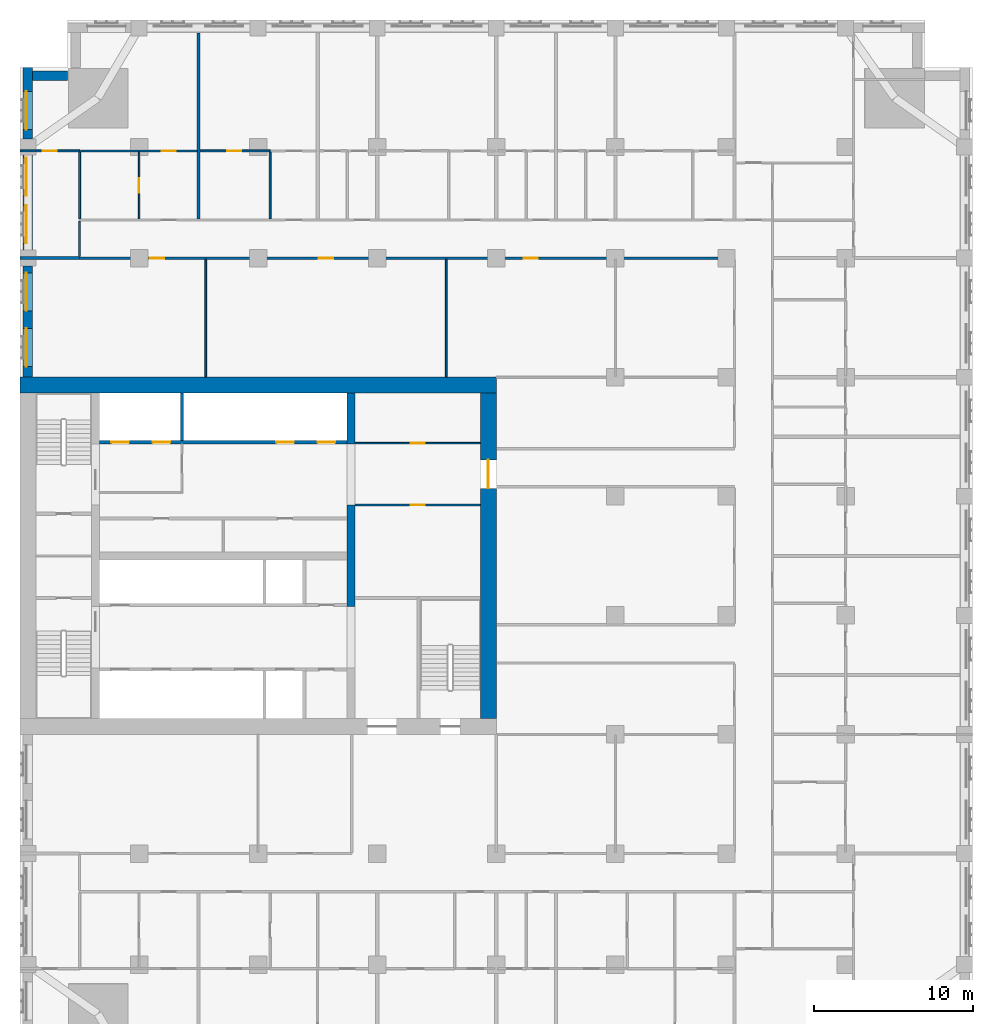
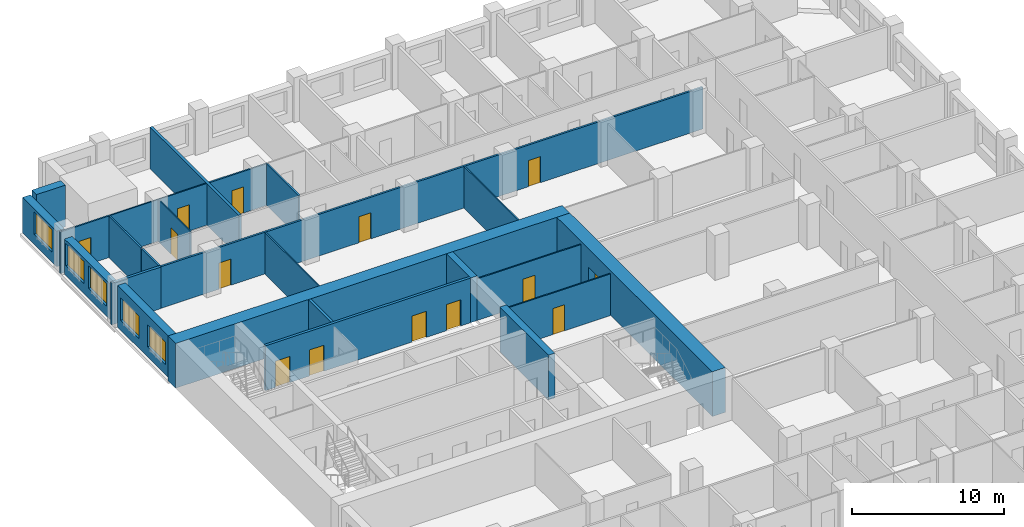
# One storey, part 8 of 14: 24 walls, 14 doors, 5 windows, 19 openings.
"""IFC4 building model written with IfcOpenShell, lengths in metres."""

from ifc_helpers import new_model, si_unit, direction, frame, frame_2d, origin, place, context, subcontext, project, spatial, rectangle, extrude, material, layer, layer_set, type_object, element, fill, save


model = new_model("IFC4")

# Units and contexts
model_context = context("Model", 3, precision=1e-05, world=origin(), true_north=direction((0.0, 1.0)))
body_context = subcontext(model_context, "Body", "Model", "MODEL_VIEW")
ifc_project = project(units=[si_unit("LENGTHUNIT", "METRE"), si_unit("AREAUNIT", "SQUARE_METRE"), si_unit("VOLUMEUNIT", "CUBIC_METRE"), si_unit("PLANEANGLEUNIT", "RADIAN"), si_unit("MASSUNIT", "GRAM", prefix="KILO")], contexts=[model_context])

# Site, building, storey
site_placement = place(None, origin())
site = spatial("IfcSite", under=ifc_project, at=site_placement, CompositionType="ELEMENT")
building_placement = place(site_placement, origin())
building = spatial("IfcBuilding", under=site, at=building_placement, Name="Tamorin Gate", CompositionType="ELEMENT")
storey_placement = place(building_placement, frame((0.0, 0.0, 79.10009765625)))
storey = spatial("IfcBuildingStorey", under=building, at=storey_placement, Name="L18", CompositionType="ELEMENT", Elevation=79.10009765625)

# Wall
ifc_material_1 = material(Name="Precast concrete C40/50", Category="concrete")
ifc_layer_1 = layer(ifc_material_1, 0.60009765625)
ifc_layer_set_1 = layer_set([ifc_layer_1], Name="Precast concrete C40/50")
wall_type_1 = type_object("IfcWallType", Name="Board-marked concrete facade panel 600", PredefinedType="SOLIDWALL", material=ifc_layer_set_1)
wall_1_placement = place(storey_placement, frame((33.0, 101.5, 0.0), z_axis=(0.0, 0.0, 1.0), x_axis=(-1.0, 0.0, 0.0)))
element("IfcWall", 1, at=wall_1_placement, inside=storey, type_object=wall_type_1, Name="Facade panel", PredefinedType="SOLIDWALL", context=body_context, shape_type="SweptSolid", body=[
    extrude(rectangle(XDim=2.199951171875, YDim=0.60009765625, at=frame_2d((1.10009765625, 0.0))), origin(), (0.0, 0.0, 1.0), 3.349853515625),
])

# Wall, opening, window
wall_2_placement = place(storey_placement, frame((30.5, 102.0, 0.0), z_axis=(0.0, 0.0, 1.0), x_axis=(0.0, -1.0, 0.0)))
wall_2 = element("IfcWall", 2, at=wall_2_placement, inside=storey, type_object=wall_type_1, Name="Facade panel", PredefinedType="SOLIDWALL", context=body_context, shape_type="SweptSolid", body=[
    extrude(rectangle(XDim=4.5, YDim=0.60009765625, at=frame_2d((2.25, 0.0))), origin(), (0.0, 0.0, 1.0), 2.849853515625),
])
opening_1_placement = place(wall_2_placement, frame((1.5, 0.0, 0.800048828125)))
opening_1 = element("IfcOpeningElement", 3, at=opening_1_placement, cuts=wall_2, Name="Opening WN1", PredefinedType="OPENING", context=body_context, shape_type="SweptSolid", body=[
    extrude(rectangle(XDim=2.39990234375, YDim=1.800048828125, at=frame_2d((1.199951171875, 0.89990234375))), frame((0.0, 0.31005859375, 0.0), z_axis=(0.0, -1.0, 0.0), x_axis=(1.0, 0.0, 0.0)), (0.0, 0.0, 1.0), 0.6201171875),
])
ifc_material_2 = material(Name="Clear glass in aluminium frame", Category="aluminium")
window_type = type_object("IfcWindowType", Name="Deep-set window 2400x1800", PartitioningType="SINGLE_PANEL", PredefinedType="WINDOW", material=ifc_material_2)
window_1_placement = place(opening_1_placement, origin())
window_1 = element("IfcWindow", 4, at=window_1_placement, inside=storey, type_object=window_type, Name="Deep-set window", OverallHeight=1.800048828125, OverallWidth=2.39990234375, PartitioningType="SINGLE_PANEL", PredefinedType="WINDOW", context=body_context, shape_type="SweptSolid", body=[
    extrude(rectangle(XDim=2.39990234375, YDim=1.800048828125, at=frame_2d((1.199951171875, 0.89990234375))), frame((0.0, -0.070068359375, 0.0), z_axis=(0.0, -1.0, 0.0), x_axis=(1.0, 0.0, 0.0)), (0.0, 0.0, 1.0), 0.06005859375),
])
fill(opening_1, window_1)

# Wall, openings, windows
wall_3_placement = place(storey_placement, frame((30.5, 96.5, 0.0), z_axis=(0.0, 0.0, 1.0), x_axis=(0.0, -1.0, 0.0)))
wall_3 = element("IfcWall", 5, at=wall_3_placement, inside=storey, type_object=wall_type_1, Name="Facade panel", PredefinedType="SOLIDWALL", context=body_context, shape_type="SweptSolid", body=[
    extrude(rectangle(XDim=6.0, YDim=0.60009765625, at=frame_2d((3.0, 0.0))), origin(), (0.0, 0.0, 1.0), 2.849853515625),
])
opening_2_placement = place(wall_3_placement, frame((3.175048828125, 0.0, 0.800048828125)))
opening_2 = element("IfcOpeningElement", 6, at=opening_2_placement, cuts=wall_3, Name="Opening WN1", PredefinedType="OPENING", context=body_context, shape_type="SweptSolid", body=[
    extrude(rectangle(XDim=2.39990234375, YDim=1.800048828125, at=frame_2d((1.199951171875, 0.89990234375))), frame((0.0, 0.31005859375, 0.0), z_axis=(0.0, -1.0, 0.0), x_axis=(1.0, 0.0, 0.0)), (0.0, 0.0, 1.0), 0.6201171875),
])
opening_3_placement = place(wall_3_placement, frame((0.175048828125, 0.0, 0.800048828125)))
opening_3 = element("IfcOpeningElement", 7, at=opening_3_placement, cuts=wall_3, Name="Opening WN1", PredefinedType="OPENING", context=body_context, shape_type="SweptSolid", body=[
    extrude(rectangle(XDim=2.39990234375, YDim=1.800048828125, at=frame_2d((1.199951171875, 0.89990234375))), frame((0.0, 0.31005859375, 0.0), z_axis=(0.0, -1.0, 0.0), x_axis=(1.0, 0.0, 0.0)), (0.0, 0.0, 1.0), 0.6201171875),
])
window_2_placement = place(opening_2_placement, origin())
window_2 = element("IfcWindow", 8, at=window_2_placement, inside=storey, type_object=window_type, Name="Deep-set window", OverallHeight=1.800048828125, OverallWidth=2.39990234375, PartitioningType="SINGLE_PANEL", PredefinedType="WINDOW", context=body_context, shape_type="SweptSolid", body=[
    extrude(rectangle(XDim=2.39990234375, YDim=1.800048828125, at=frame_2d((1.199951171875, 0.89990234375))), frame((0.0, -0.070068359375, 0.0), z_axis=(0.0, -1.0, 0.0), x_axis=(1.0, 0.0, 0.0)), (0.0, 0.0, 1.0), 0.06005859375),
])
fill(opening_2, window_2)
window_3_placement = place(opening_3_placement, origin())
window_3 = element("IfcWindow", 9, at=window_3_placement, inside=storey, type_object=window_type, Name="Deep-set window", OverallHeight=1.800048828125, OverallWidth=2.39990234375, PartitioningType="SINGLE_PANEL", PredefinedType="WINDOW", context=body_context, shape_type="SweptSolid", body=[
    extrude(rectangle(XDim=2.39990234375, YDim=1.800048828125, at=frame_2d((1.199951171875, 0.89990234375))), frame((0.0, -0.070068359375, 0.0), z_axis=(0.0, -1.0, 0.0), x_axis=(1.0, 0.0, 0.0)), (0.0, 0.0, 1.0), 0.06005859375),
])
fill(opening_3, window_3)

wall_4_placement = place(storey_placement, frame((30.5, 89.5, 0.0), z_axis=(0.0, 0.0, 1.0), x_axis=(0.0, -1.0, 0.0)))
wall_4 = element("IfcWall", 10, at=wall_4_placement, inside=storey, type_object=wall_type_1, Name="Facade panel", PredefinedType="SOLIDWALL", context=body_context, shape_type="SweptSolid", body=[
    extrude(rectangle(XDim=7.0, YDim=0.60009765625, at=frame_2d((3.5, 0.0))), origin(), (0.0, 0.0, 1.0), 3.349853515625),
])
opening_4_placement = place(wall_4_placement, frame((3.925048828125, 0.0, 0.800048828125)))
opening_4 = element("IfcOpeningElement", 11, at=opening_4_placement, cuts=wall_4, Name="Opening WN1", PredefinedType="OPENING", context=body_context, shape_type="SweptSolid", body=[
    extrude(rectangle(XDim=2.39990234375, YDim=1.800048828125, at=frame_2d((1.199951171875, 0.89990234375))), frame((0.0, 0.31005859375, 0.0), z_axis=(0.0, -1.0, 0.0), x_axis=(1.0, 0.0, 0.0)), (0.0, 0.0, 1.0), 0.6201171875),
])
opening_5_placement = place(wall_4_placement, frame((0.425048828125, 0.0, 0.800048828125)))
opening_5 = element("IfcOpeningElement", 12, at=opening_5_placement, cuts=wall_4, Name="Opening WN1", PredefinedType="OPENING", context=body_context, shape_type="SweptSolid", body=[
    extrude(rectangle(XDim=2.39990234375, YDim=1.800048828125, at=frame_2d((1.199951171875, 0.89990234375))), frame((0.0, 0.31005859375, 0.0), z_axis=(0.0, -1.0, 0.0), x_axis=(1.0, 0.0, 0.0)), (0.0, 0.0, 1.0), 0.6201171875),
])
window_4_placement = place(opening_4_placement, origin())
window_4 = element("IfcWindow", 13, at=window_4_placement, inside=storey, type_object=window_type, Name="Deep-set window", OverallHeight=1.800048828125, OverallWidth=2.39990234375, PartitioningType="SINGLE_PANEL", PredefinedType="WINDOW", context=body_context, shape_type="SweptSolid", body=[
    extrude(rectangle(XDim=2.39990234375, YDim=1.800048828125, at=frame_2d((1.199951171875, 0.89990234375))), frame((0.0, -0.070068359375, 0.0), z_axis=(0.0, -1.0, 0.0), x_axis=(1.0, 0.0, 0.0)), (0.0, 0.0, 1.0), 0.06005859375),
])
fill(opening_4, window_4)
window_5_placement = place(opening_5_placement, origin())
window_5 = element("IfcWindow", 14, at=window_5_placement, inside=storey, type_object=window_type, Name="Deep-set window", OverallHeight=1.800048828125, OverallWidth=2.39990234375, PartitioningType="SINGLE_PANEL", PredefinedType="WINDOW", context=body_context, shape_type="SweptSolid", body=[
    extrude(rectangle(XDim=2.39990234375, YDim=1.800048828125, at=frame_2d((1.199951171875, 0.89990234375))), frame((0.0, -0.070068359375, 0.0), z_axis=(0.0, -1.0, 0.0), x_axis=(1.0, 0.0, 0.0)), (0.0, 0.0, 1.0), 0.06005859375),
])
fill(opening_5, window_5)

# Wall, openings, doors
ifc_material_3 = material(Name="Gypsum board partition")
ifc_layer_2 = layer(ifc_material_3, 0.14990234375)
ifc_layer_set_2 = layer_set([ifc_layer_2], Name="Corridor wall 150")
wall_type_2 = type_object("IfcWallType", Name="Corridor wall 150", PredefinedType="PARTITIONING", material=ifc_layer_set_2)
wall_5_placement = place(storey_placement, frame((33.75, 90.0, 0.0), z_axis=(0.0, 0.0, 1.0), x_axis=(1.0, 0.0, 0.0)))
wall_5 = element("IfcWall", 15, at=wall_5_placement, inside=storey, type_object=wall_type_2, Name="Corridor wall 150", PredefinedType="PARTITIONING", context=body_context, shape_type="SweptSolid", body=[
    extrude(rectangle(XDim=41.25, YDim=0.14990234375, at=frame_2d((20.625, 0.0))), origin(), (0.0, 0.0, 1.0), 3.349853515625),
])
opening_6_placement = place(wall_5_placement, frame((4.425048828125, 0.0, 0.0)))
opening_6 = element("IfcOpeningElement", 16, at=opening_6_placement, cuts=wall_5, Name="Opening DH5076", PredefinedType="OPENING", context=body_context, shape_type="SweptSolid", body=[
    extrude(rectangle(XDim=0.89990234375, YDim=2.10009765625, at=frame_2d((0.449951171875, 1.050048828125))), frame((0.0, 0.0849609375, 0.0), z_axis=(0.0, -1.0, 0.0), x_axis=(1.0, 0.0, 0.0)), (0.0, 0.0, 1.0), 0.169921875),
])
opening_7_placement = place(wall_5_placement, frame((15.074951171875, 0.0, 0.0)))
opening_7 = element("IfcOpeningElement", 17, at=opening_7_placement, cuts=wall_5, Name="Opening DH5077", PredefinedType="OPENING", context=body_context, shape_type="SweptSolid", body=[
    extrude(rectangle(XDim=0.89990234375, YDim=2.10009765625, at=frame_2d((0.449951171875, 1.050048828125))), frame((0.0, 0.0849609375, 0.0), z_axis=(0.0, -1.0, 0.0), x_axis=(1.0, 0.0, 0.0)), (0.0, 0.0, 1.0), 0.169921875),
])
opening_8_placement = place(wall_5_placement, frame((27.97509765625, 0.0, 0.0)))
opening_8 = element("IfcOpeningElement", 18, at=opening_8_placement, cuts=wall_5, Name="Opening DH5078", PredefinedType="OPENING", context=body_context, shape_type="SweptSolid", body=[
    extrude(rectangle(XDim=0.89990234375, YDim=2.10009765625, at=frame_2d((0.449951171875, 1.050048828125))), frame((0.0, 0.0849609375, 0.0), z_axis=(0.0, -1.0, 0.0), x_axis=(1.0, 0.0, 0.0)), (0.0, 0.0, 1.0), 0.169921875),
])
ifc_material_4 = material(Name="Timber door leaf", Category="wood")
door_type_1 = type_object("IfcDoorType", Name="Door 900 x 2100 FD30S", OperationType="NOTDEFINED", PredefinedType="DOOR", material=ifc_material_4)
door_1_placement = place(opening_6_placement, origin())
door_1 = element("IfcDoor", 19, at=door_1_placement, inside=storey, type_object=door_type_1, Name="Door DH5076", OperationType="SINGLE_SWING_LEFT", OverallHeight=2.10009765625, OverallWidth=0.89990234375, PredefinedType="DOOR", context=body_context, shape_type="SweptSolid", body=[
    extrude(rectangle(XDim=0.89990234375, YDim=2.10009765625, at=frame_2d((0.449951171875, 1.050048828125))), frame((0.0, 0.02490234375, 0.0), z_axis=(0.0, -1.0, 0.0), x_axis=(1.0, 0.0, 0.0)), (0.0, 0.0, 1.0), 0.050048828125),
])
fill(opening_6, door_1)
door_2_placement = place(opening_7_placement, origin())
door_2 = element("IfcDoor", 20, at=door_2_placement, inside=storey, type_object=door_type_1, Name="Door DH5077", OperationType="SINGLE_SWING_RIGHT", OverallHeight=2.10009765625, OverallWidth=0.89990234375, PredefinedType="DOOR", context=body_context, shape_type="SweptSolid", body=[
    extrude(rectangle(XDim=0.89990234375, YDim=2.10009765625, at=frame_2d((0.449951171875, 1.050048828125))), frame((0.0, 0.02490234375, 0.0), z_axis=(0.0, -1.0, 0.0), x_axis=(1.0, 0.0, 0.0)), (0.0, 0.0, 1.0), 0.050048828125),
])
fill(opening_7, door_2)
door_3_placement = place(opening_8_placement, origin())
door_3 = element("IfcDoor", 21, at=door_3_placement, inside=storey, type_object=door_type_1, Name="Door DH5078", OperationType="SINGLE_SWING_RIGHT", OverallHeight=2.10009765625, OverallWidth=0.89990234375, PredefinedType="DOOR", context=body_context, shape_type="SweptSolid", body=[
    extrude(rectangle(XDim=0.89990234375, YDim=2.10009765625, at=frame_2d((0.449951171875, 1.050048828125))), frame((0.0, 0.02490234375, 0.0), z_axis=(0.0, -1.0, 0.0), x_axis=(1.0, 0.0, 0.0)), (0.0, 0.0, 1.0), 0.050048828125),
])
fill(opening_8, door_3)

# Walls
wall_6_placement = place(storey_placement, frame((33.75, 90.10009765625, 0.0), z_axis=(0.0, 0.0, 1.0), x_axis=(0.0, 1.0, 0.0)))
element("IfcWall", 22, at=wall_6_placement, inside=storey, type_object=wall_type_2, Name="Corridor wall 150", PredefinedType="PARTITIONING", context=body_context, shape_type="SweptSolid", body=[
    extrude(rectangle(XDim=2.224853515625, YDim=0.14990234375, at=frame_2d((1.1123046875, 0.0))), origin(), (0.0, 0.0, 1.0), 3.349853515625),
])
ifc_layer_3 = layer(ifc_material_3, 0.199951171875)
ifc_layer_set_3 = layer_set([ifc_layer_3], Name="Demising wall 200")
wall_type_3 = type_object("IfcWallType", Name="Demising wall 200", PredefinedType="PARTITIONING", material=ifc_layer_set_3)
wall_7_placement = place(storey_placement, frame((30.0, 90.0, 0.0), z_axis=(0.0, 0.0, 1.0), x_axis=(1.0, 0.0, 0.0)))
element("IfcWall", 23, at=wall_7_placement, inside=storey, type_object=wall_type_3, Name="Demising wall 200", PredefinedType="PARTITIONING", context=body_context, shape_type="SweptSolid", body=[
    extrude(rectangle(XDim=3.75, YDim=0.199951171875, at=frame_2d((1.875, 0.0))), origin(), (0.0, 0.0, 1.0), 3.349853515625),
])
wall_8_placement = place(storey_placement, frame((41.25, 92.47509765625, 0.0), z_axis=(0.0, 0.0, 1.0), x_axis=(0.0, 1.0, 0.0)))
element("IfcWall", 24, at=wall_8_placement, inside=storey, type_object=wall_type_3, Name="Demising wall 200", PredefinedType="PARTITIONING", context=body_context, shape_type="SweptSolid", body=[
    extrude(rectangle(XDim=11.71484375, YDim=0.199951171875, at=frame_2d((5.857421875, 0.0))), origin(), (0.0, 0.0, 1.0), 3.349853515625),
])

# Wall, openings, doors
ifc_material_5 = material(Name="Concrete C32/40", Category="concrete")
ifc_layer_4 = layer(ifc_material_5, 0.199951171875)
ifc_layer_set_4 = layer_set([ifc_layer_4], Name="Lift lobby face wall 200 EI 120")
wall_type_4 = type_object("IfcWallType", Name="Lift lobby face wall 200 EI 120", PredefinedType="SOLIDWALL", material=ifc_layer_set_4)
wall_9_placement = place(storey_placement, frame((35.0, 78.39990234375, 0.0), z_axis=(0.0, 0.0, 1.0), x_axis=(1.0, 0.0, 0.0)))
wall_9 = element("IfcWall", 25, at=wall_9_placement, inside=storey, type_object=wall_type_4, Name="Lift lobby face wall", PredefinedType="SOLIDWALL", context=body_context, shape_type="SweptSolid", body=[
    extrude(rectangle(XDim=15.60009765625, YDim=0.199951171875, at=frame_2d((7.800048828125, 0.0))), origin(), (0.0, 0.0, 1.0), 3.599853515625),
])
opening_9_placement = place(wall_9_placement, frame((0.75, 0.0, 0.0)))
opening_9 = element("IfcOpeningElement", 26, at=opening_9_placement, cuts=wall_9, Name="Opening LD17", PredefinedType="OPENING", context=body_context, shape_type="SweptSolid", body=[
    extrude(rectangle(XDim=1.10009765625, YDim=2.10009765625, at=frame_2d((0.550048828125, 1.050048828125))), frame((0.0, 0.10986328125, 0.0), z_axis=(0.0, -1.0, 0.0), x_axis=(1.0, 0.0, 0.0)), (0.0, 0.0, 1.0), 0.219970703125),
])
opening_10_placement = place(wall_9_placement, frame((3.35009765625, 0.0, 0.0)))
opening_10 = element("IfcOpeningElement", 27, at=opening_10_placement, cuts=wall_9, Name="Opening LD18", PredefinedType="OPENING", context=body_context, shape_type="SweptSolid", body=[
    extrude(rectangle(XDim=1.10009765625, YDim=2.10009765625, at=frame_2d((0.550048828125, 1.050048828125))), frame((0.0, 0.10986328125, 0.0), z_axis=(0.0, -1.0, 0.0), x_axis=(1.0, 0.0, 0.0)), (0.0, 0.0, 1.0), 0.219970703125),
])
opening_11_placement = place(wall_9_placement, frame((11.14990234375, 0.0, 0.0)))
opening_11 = element("IfcOpeningElement", 28, at=opening_11_placement, cuts=wall_9, Name="Opening LD21", PredefinedType="OPENING", context=body_context, shape_type="SweptSolid", body=[
    extrude(rectangle(XDim=1.10009765625, YDim=2.10009765625, at=frame_2d((0.550048828125, 1.050048828125))), frame((0.0, 0.10986328125, 0.0), z_axis=(0.0, -1.0, 0.0), x_axis=(1.0, 0.0, 0.0)), (0.0, 0.0, 1.0), 0.219970703125),
])
opening_12_placement = place(wall_9_placement, frame((13.75, 0.0, 0.0)))
opening_12 = element("IfcOpeningElement", 29, at=opening_12_placement, cuts=wall_9, Name="Opening LD22", PredefinedType="OPENING", context=body_context, shape_type="SweptSolid", body=[
    extrude(rectangle(XDim=1.10009765625, YDim=2.10009765625, at=frame_2d((0.550048828125, 1.050048828125))), frame((0.0, 0.10986328125, 0.0), z_axis=(0.0, -1.0, 0.0), x_axis=(1.0, 0.0, 0.0)), (0.0, 0.0, 1.0), 0.219970703125),
])
ifc_material_6 = material(Name="Stainless steel sliding door", Category="steel")
door_type_2 = type_object("IfcDoorType", Name="Lift landing door 1100 x 2100 E 90", OperationType="DOUBLE_DOOR_SLIDING", PredefinedType="DOOR", material=ifc_material_6)
door_4_placement = place(opening_9_placement, origin())
door_4 = element("IfcDoor", 30, at=door_4_placement, inside=storey, type_object=door_type_2, Name="FF1 landing door", OperationType="DOUBLE_DOOR_SLIDING", OverallHeight=2.10009765625, OverallWidth=1.10009765625, PredefinedType="DOOR", context=body_context, shape_type="SweptSolid", body=[
    extrude(rectangle(XDim=1.10009765625, YDim=2.10009765625, at=frame_2d((0.550048828125, 1.050048828125))), frame((0.0, 0.02490234375, 0.0), z_axis=(0.0, -1.0, 0.0), x_axis=(1.0, 0.0, 0.0)), (0.0, 0.0, 1.0), 0.050048828125),
])
fill(opening_9, door_4)
door_5_placement = place(opening_10_placement, origin())
door_5 = element("IfcDoor", 31, at=door_5_placement, inside=storey, type_object=door_type_2, Name="FF2 landing door", OperationType="DOUBLE_DOOR_SLIDING", OverallHeight=2.10009765625, OverallWidth=1.10009765625, PredefinedType="DOOR", context=body_context, shape_type="SweptSolid", body=[
    extrude(rectangle(XDim=1.10009765625, YDim=2.10009765625, at=frame_2d((0.550048828125, 1.050048828125))), frame((0.0, 0.02490234375, 0.0), z_axis=(0.0, -1.0, 0.0), x_axis=(1.0, 0.0, 0.0)), (0.0, 0.0, 1.0), 0.050048828125),
])
fill(opening_10, door_5)
door_6_placement = place(opening_11_placement, origin())
door_6 = element("IfcDoor", 32, at=door_6_placement, inside=storey, type_object=door_type_2, Name="SV1 landing door", OperationType="DOUBLE_DOOR_SLIDING", OverallHeight=2.10009765625, OverallWidth=1.10009765625, PredefinedType="DOOR", context=body_context, shape_type="SweptSolid", body=[
    extrude(rectangle(XDim=1.10009765625, YDim=2.10009765625, at=frame_2d((0.550048828125, 1.050048828125))), frame((0.0, 0.02490234375, 0.0), z_axis=(0.0, -1.0, 0.0), x_axis=(1.0, 0.0, 0.0)), (0.0, 0.0, 1.0), 0.050048828125),
])
fill(opening_11, door_6)
door_7_placement = place(opening_12_placement, origin())
door_7 = element("IfcDoor", 33, at=door_7_placement, inside=storey, type_object=door_type_2, Name="SV2 landing door", OperationType="DOUBLE_DOOR_SLIDING", OverallHeight=2.10009765625, OverallWidth=1.10009765625, PredefinedType="DOOR", context=body_context, shape_type="SweptSolid", body=[
    extrude(rectangle(XDim=1.10009765625, YDim=2.10009765625, at=frame_2d((0.550048828125, 1.050048828125))), frame((0.0, 0.02490234375, 0.0), z_axis=(0.0, -1.0, 0.0), x_axis=(1.0, 0.0, 0.0)), (0.0, 0.0, 1.0), 0.050048828125),
])
fill(opening_12, door_7)

# Walls
ifc_layer_5 = layer(ifc_material_5, 0.199951171875)
ifc_layer_set_5 = layer_set([ifc_layer_5], Name="Lift shaft wall 200 EI 120")
wall_type_5 = type_object("IfcWallType", Name="Lift shaft wall 200 EI 120", PredefinedType="SOLIDWALL", material=ifc_layer_set_5)
wall_10_placement = place(storey_placement, frame((40.199951171875, 78.5, 0.0), z_axis=(0.0, 0.0, 1.0), x_axis=(0.0, 1.0, 0.0)))
element("IfcWall", 34, at=wall_10_placement, inside=storey, type_object=wall_type_5, Name="Lift shaft wall", PredefinedType="SOLIDWALL", context=body_context, shape_type="SweptSolid", body=[
    extrude(rectangle(XDim=3.0, YDim=0.199951171875, at=frame_2d((1.5, 0.0))), origin(), (0.0, 0.0, 1.0), 3.599853515625),
])
ifc_material_7 = material(Name="Concrete C80/95", Category="concrete")
ifc_layer_6 = layer(ifc_material_7, 0.5)
ifc_layer_set_6 = layer_set([ifc_layer_6], Name="RC core internal wall 500 C80/95")
wall_type_6 = type_object("IfcWallType", Name="RC core internal wall 500 C80/95", PredefinedType="SHEAR", material=ifc_layer_set_6)
wall_11_placement = place(storey_placement, frame((50.85009765625, 68.050048828125, 0.0), z_axis=(0.0, 0.0, 1.0), x_axis=(0.0, 1.0, 0.0)))
element("IfcWall", 35, at=wall_11_placement, inside=storey, type_object=wall_type_6, Name="Core cross wall L18", PredefinedType="SHEAR", context=body_context, shape_type="SweptSolid", body=[
    extrude(rectangle(XDim=6.39990234375, YDim=0.5, at=frame_2d((3.199951171875, 0.0))), origin(), (0.0, 0.0, 1.0), 3.599853515625),
])
wall_12_placement = place(storey_placement, frame((50.85009765625, 78.300048828125, 0.0), z_axis=(0.0, 0.0, 1.0), x_axis=(0.0, 1.0, 0.0)))
element("IfcWall", 36, at=wall_12_placement, inside=storey, type_object=wall_type_6, Name="Core cross wall L18", PredefinedType="SHEAR", context=body_context, shape_type="SweptSolid", body=[
    extrude(rectangle(XDim=3.199951171875, YDim=0.5, at=frame_2d((1.60009765625, 0.0))), origin(), (0.0, 0.0, 1.0), 3.599853515625),
])
ifc_layer_7 = layer(ifc_material_7, 1.0)
ifc_layer_set_7 = layer_set([ifc_layer_7], Name="RC core wall 1000 C80/95")
wall_type_7 = type_object("IfcWallType", Name="RC core wall 1000 C80/95", PredefinedType="SHEAR", material=ifc_layer_set_7)
wall_13_placement = place(storey_placement, frame((30.0, 82.0, 0.0), z_axis=(0.0, 0.0, 1.0), x_axis=(1.0, 0.0, 0.0)))
element("IfcWall", 37, at=wall_13_placement, inside=storey, type_object=wall_type_7, Name="Core wall L18", PredefinedType="SHEAR", context=body_context, shape_type="SweptSolid", body=[
    extrude(rectangle(XDim=30.0, YDim=1.0, at=frame_2d((15.0, 0.0))), origin(), (0.0, 0.0, 1.0), 3.599853515625),
])

# Wall, opening, door
wall_14_placement = place(storey_placement, frame((59.5, 61.0, 0.0), z_axis=(0.0, 0.0, 1.0), x_axis=(0.0, 1.0, 0.0)))
wall_14 = element("IfcWall", 38, at=wall_14_placement, inside=storey, type_object=wall_type_7, Name="Core wall L18", PredefinedType="SHEAR", context=body_context, shape_type="SweptSolid", body=[
    extrude(rectangle(XDim=20.5, YDim=1.0, at=frame_2d((10.25, 0.0))), origin(), (0.0, 0.0, 1.0), 3.599853515625),
])
opening_13_placement = place(wall_14_placement, frame((14.5, 0.0, 0.0)))
opening_13 = element("IfcOpeningElement", 39, at=opening_13_placement, cuts=wall_14, Name="Opening DE1", PredefinedType="OPENING", context=body_context, shape_type="SweptSolid", body=[
    extrude(rectangle(XDim=1.800048828125, YDim=2.10009765625, at=frame_2d((0.89990234375, 1.050048828125))), frame((0.0, 0.510009765625, 0.0), z_axis=(0.0, -1.0, 0.0), x_axis=(1.0, 0.0, 0.0)), (0.0, 0.0, 1.0), 1.02001953125),
])
ifc_material_8 = material(Name="Steel fire door", Category="steel")
door_type_3 = type_object("IfcDoorType", Name="Lobby exit double door 1800 x 2100 EI 60", OperationType="DOUBLE_DOOR_SINGLE_SWING", PredefinedType="DOOR", material=ifc_material_8)
door_8_placement = place(opening_13_placement, origin())
door_8 = element("IfcDoor", 40, at=door_8_placement, inside=storey, type_object=door_type_3, Name="Lift lobby B exit door", OperationType="DOUBLE_DOOR_SINGLE_SWING", OverallHeight=2.10009765625, OverallWidth=1.800048828125, PredefinedType="DOOR", context=body_context, shape_type="SweptSolid", body=[
    extrude(rectangle(XDim=1.800048828125, YDim=2.10009765625, at=frame_2d((0.89990234375, 1.050048828125))), frame((0.0, 0.02490234375, 0.0), z_axis=(0.0, -1.0, 0.0), x_axis=(1.0, 0.0, 0.0)), (0.0, 0.0, 1.0), 0.050048828125),
])
fill(opening_13, door_8)

ifc_layer_8 = layer(ifc_material_3, 0.10009765625)
ifc_layer_set_8 = layer_set([ifc_layer_8], Name="Room partition 100")
wall_type_8 = type_object("IfcWallType", Name="Room partition 100", PredefinedType="PARTITIONING", material=ifc_layer_set_8)
wall_15_placement = place(storey_placement, frame((33.8125, 96.75, 0.0), z_axis=(0.0, 0.0, 1.0), x_axis=(1.0, 0.0, 0.0)))
wall_15 = element("IfcWall", 41, at=wall_15_placement, inside=storey, type_object=wall_type_8, Name="Room partition 100", PredefinedType="PARTITIONING", context=body_context, shape_type="SweptSolid", body=[
    extrude(rectangle(XDim=7.33740234375, YDim=0.10009765625, at=frame_2d((3.668701171875, 0.0))), origin(), (0.0, 0.0, 1.0), 3.349853515625),
])
opening_14_placement = place(wall_15_placement, frame((5.112548828125, 0.0, 0.0)))
opening_14 = element("IfcOpeningElement", 42, at=opening_14_placement, cuts=wall_15, Name="Opening DH5024", PredefinedType="OPENING", context=body_context, shape_type="SweptSolid", body=[
    extrude(rectangle(XDim=0.89990234375, YDim=2.10009765625, at=frame_2d((0.449951171875, 1.050048828125))), frame((0.0, 0.06005859375, 0.0), z_axis=(0.0, -1.0, 0.0), x_axis=(1.0, 0.0, 0.0)), (0.0, 0.0, 1.0), 0.1201171875),
])
door_type_4 = type_object("IfcDoorType", Name="Door 900 x 2100", OperationType="NOTDEFINED", PredefinedType="DOOR", material=ifc_material_4)
door_9_placement = place(opening_14_placement, origin())
door_9 = element("IfcDoor", 43, at=door_9_placement, inside=storey, type_object=door_type_4, Name="Door DH5024", OperationType="SINGLE_SWING_RIGHT", OverallHeight=2.10009765625, OverallWidth=0.89990234375, PredefinedType="DOOR", context=body_context, shape_type="SweptSolid", body=[
    extrude(rectangle(XDim=0.89990234375, YDim=2.10009765625, at=frame_2d((0.449951171875, 1.050048828125))), frame((0.0, 0.02490234375, 0.0), z_axis=(0.0, -1.0, 0.0), x_axis=(1.0, 0.0, 0.0)), (0.0, 0.0, 1.0), 0.050048828125),
])
fill(opening_14, door_9)

wall_16_placement = place(storey_placement, frame((37.5, 92.47509765625, 0.0), z_axis=(0.0, 0.0, 1.0), x_axis=(0.0, 1.0, 0.0)))
wall_16 = element("IfcWall", 44, at=wall_16_placement, inside=storey, type_object=wall_type_8, Name="Room partition 100", PredefinedType="PARTITIONING", context=body_context, shape_type="SweptSolid", body=[
    extrude(rectangle(XDim=4.224853515625, YDim=0.10009765625, at=frame_2d((2.1123046875, 0.0))), origin(), (0.0, 0.0, 1.0), 3.349853515625),
])
opening_15_placement = place(wall_16_placement, frame((1.64990234375, 0.0, 0.0)))
opening_15 = element("IfcOpeningElement", 45, at=opening_15_placement, cuts=wall_16, Name="Opening DH5022", PredefinedType="OPENING", context=body_context, shape_type="SweptSolid", body=[
    extrude(rectangle(XDim=0.89990234375, YDim=2.10009765625, at=frame_2d((0.449951171875, 1.050048828125))), frame((0.0, 0.06005859375, 0.0), z_axis=(0.0, -1.0, 0.0), x_axis=(1.0, 0.0, 0.0)), (0.0, 0.0, 1.0), 0.1201171875),
])
door_10_placement = place(opening_15_placement, origin())
door_10 = element("IfcDoor", 46, at=door_10_placement, inside=storey, type_object=door_type_4, Name="Door DH5022", OperationType="SINGLE_SWING_RIGHT", OverallHeight=2.10009765625, OverallWidth=0.89990234375, PredefinedType="DOOR", context=body_context, shape_type="SweptSolid", body=[
    extrude(rectangle(XDim=0.89990234375, YDim=2.10009765625, at=frame_2d((0.449951171875, 1.050048828125))), frame((0.0, 0.02490234375, 0.0), z_axis=(0.0, -1.0, 0.0), x_axis=(1.0, 0.0, 0.0)), (0.0, 0.0, 1.0), 0.050048828125),
])
fill(opening_15, door_10)

# Walls
for number, where, z_axis, x_axis, name in (
    (47, (41.699951171875, 82.5, 0.0), (0.0, 0.0, 1.0), (0.0, 1.0, 0.0), "Room partition 100"),
    (48, (56.85009765625, 82.5, 0.0), (0.0, 0.0, 1.0), (0.0, 1.0, 0.0), "Room partition 100"),
):
    element("IfcWall", number, at=place(storey_placement, frame(where, z_axis=z_axis, x_axis=x_axis)), inside=storey, type_object=wall_type_8, Name=name, PredefinedType="PARTITIONING", context=body_context, shape_type="SweptSolid", body=[
        extrude(rectangle(XDim=7.425048828125, YDim=0.10009765625, at=frame_2d((3.71240234375, 0.0))), origin(), (0.0, 0.0, 1.0), 3.349853515625),
    ])

# Wall, opening, door
ifc_layer_9 = layer(ifc_material_3, 0.10009765625)
ifc_layer_set_9 = layer_set([ifc_layer_9], Name="Service room partition 100 EI 60")
wall_type_9 = type_object("IfcWallType", Name="Service room partition 100 EI 60", PredefinedType="PARTITIONING", material=ifc_layer_set_9)
wall_17_placement = place(storey_placement, frame((51.10009765625, 74.449951171875, 0.0), z_axis=(0.0, 0.0, 1.0), x_axis=(1.0, 0.0, 0.0)))
wall_17 = element("IfcWall", 49, at=wall_17_placement, inside=storey, type_object=wall_type_9, Name="Service room wall", PredefinedType="PARTITIONING", context=body_context, shape_type="SweptSolid", body=[
    extrude(rectangle(XDim=7.89990234375, YDim=0.10009765625, at=frame_2d((3.949951171875, 0.0))), origin(), (0.0, 0.0, 1.0), 3.349853515625),
])
opening_16_placement = place(wall_17_placement, frame((3.5, 0.0, 0.0)))
opening_16 = element("IfcOpeningElement", 50, at=opening_16_placement, cuts=wall_17, Name="Opening DR1", PredefinedType="OPENING", context=body_context, shape_type="SweptSolid", body=[
    extrude(rectangle(XDim=0.89990234375, YDim=2.10009765625, at=frame_2d((0.449951171875, 1.050048828125))), frame((0.0, 0.06005859375, 0.0), z_axis=(0.0, -1.0, 0.0), x_axis=(1.0, 0.0, 0.0)), (0.0, 0.0, 1.0), 0.1201171875),
])
door_type_5 = type_object("IfcDoorType", Name="Riser access door 900 x 2100 EI 120", OperationType="SINGLE_SWING_LEFT", PredefinedType="DOOR", material=ifc_material_8)
door_11_placement = place(opening_16_placement, origin())
door_11 = element("IfcDoor", 51, at=door_11_placement, inside=storey, type_object=door_type_5, Name="Duct riser door", OperationType="SINGLE_SWING_RIGHT", OverallHeight=2.10009765625, OverallWidth=0.89990234375, PredefinedType="DOOR", context=body_context, shape_type="SweptSolid", body=[
    extrude(rectangle(XDim=0.89990234375, YDim=2.10009765625, at=frame_2d((0.449951171875, 1.050048828125))), frame((0.0, 0.02490234375, 0.0), z_axis=(0.0, -1.0, 0.0), x_axis=(1.0, 0.0, 0.0)), (0.0, 0.0, 1.0), 0.050048828125),
])
fill(opening_16, door_11)

wall_18_placement = place(storey_placement, frame((51.10009765625, 78.35009765625, 0.0), z_axis=(0.0, 0.0, 1.0), x_axis=(1.0, 0.0, 0.0)))
wall_18 = element("IfcWall", 52, at=wall_18_placement, inside=storey, type_object=wall_type_9, Name="Service room wall", PredefinedType="PARTITIONING", context=body_context, shape_type="SweptSolid", body=[
    extrude(rectangle(XDim=7.89990234375, YDim=0.10009765625, at=frame_2d((3.949951171875, 0.0))), origin(), (0.0, 0.0, 1.0), 3.349853515625),
])
opening_17_placement = place(wall_18_placement, frame((3.5, 0.0, 0.0)))
opening_17 = element("IfcOpeningElement", 53, at=opening_17_placement, cuts=wall_18, Name="Opening DK1", PredefinedType="OPENING", context=body_context, shape_type="SweptSolid", body=[
    extrude(rectangle(XDim=0.89990234375, YDim=2.10009765625, at=frame_2d((0.449951171875, 1.050048828125))), frame((0.0, 0.06005859375, 0.0), z_axis=(0.0, -1.0, 0.0), x_axis=(1.0, 0.0, 0.0)), (0.0, 0.0, 1.0), 0.1201171875),
])
ifc_material_9 = material(Name="Timber fire door", Category="wood")
door_type_6 = type_object("IfcDoorType", Name="Service room door 900 x 2100 EI 60", OperationType="SINGLE_SWING_LEFT", PredefinedType="DOOR", material=ifc_material_9)
door_12_placement = place(opening_17_placement, origin())
door_12 = element("IfcDoor", 54, at=door_12_placement, inside=storey, type_object=door_type_6, Name="Door Pantry", OperationType="SINGLE_SWING_RIGHT", OverallHeight=2.10009765625, OverallWidth=0.89990234375, PredefinedType="DOOR", context=body_context, shape_type="SweptSolid", body=[
    extrude(rectangle(XDim=0.89990234375, YDim=2.10009765625, at=frame_2d((0.449951171875, 1.050048828125))), frame((0.0, 0.02490234375, 0.0), z_axis=(0.0, -1.0, 0.0), x_axis=(1.0, 0.0, 0.0)), (0.0, 0.0, 1.0), 0.050048828125),
])
fill(opening_17, door_12)

ifc_layer_10 = layer(ifc_material_3, 0.125)
ifc_layer_set_10 = layer_set([ifc_layer_10], Name="Wet wall 125")
wall_type_10 = type_object("IfcWallType", Name="Wet wall 125", PredefinedType="PARTITIONING", material=ifc_layer_set_10)
wall_19_placement = place(storey_placement, frame((30.0, 96.75, 0.0), z_axis=(0.0, 0.0, 1.0), x_axis=(1.0, 0.0, 0.0)))
wall_19 = element("IfcWall", 55, at=wall_19_placement, inside=storey, type_object=wall_type_10, Name="Wet wall 125", PredefinedType="PARTITIONING", context=body_context, shape_type="SweptSolid", body=[
    extrude(rectangle(XDim=3.75, YDim=0.125, at=frame_2d((1.875, 0.0))), origin(), (0.0, 0.0, 1.0), 3.349853515625),
])
opening_18_placement = place(wall_19_placement, frame((1.425048828125, 0.0, 0.0)))
opening_18 = element("IfcOpeningElement", 56, at=opening_18_placement, cuts=wall_19, Name="Opening DH5021", PredefinedType="OPENING", context=body_context, shape_type="SweptSolid", body=[
    extrude(rectangle(XDim=0.89990234375, YDim=2.10009765625, at=frame_2d((0.449951171875, 1.050048828125))), frame((0.0, 0.072509765625, 0.0), z_axis=(0.0, -1.0, 0.0), x_axis=(1.0, 0.0, 0.0)), (0.0, 0.0, 1.0), 0.14501953125),
])
door_13_placement = place(opening_18_placement, origin())
door_13 = element("IfcDoor", 57, at=door_13_placement, inside=storey, type_object=door_type_4, Name="Door DH5021", OperationType="SINGLE_SWING_RIGHT", OverallHeight=2.10009765625, OverallWidth=0.89990234375, PredefinedType="DOOR", context=body_context, shape_type="SweptSolid", body=[
    extrude(rectangle(XDim=0.89990234375, YDim=2.10009765625, at=frame_2d((0.449951171875, 1.050048828125))), frame((0.0, 0.02490234375, 0.0), z_axis=(0.0, -1.0, 0.0), x_axis=(1.0, 0.0, 0.0)), (0.0, 0.0, 1.0), 0.050048828125),
])
fill(opening_18, door_13)

wall_20_placement = place(storey_placement, frame((41.35009765625, 96.75, 0.0), z_axis=(0.0, 0.0, 1.0), x_axis=(1.0, 0.0, 0.0)))
wall_20 = element("IfcWall", 58, at=wall_20_placement, inside=storey, type_object=wall_type_10, Name="Wet wall 125", PredefinedType="PARTITIONING", context=body_context, shape_type="SweptSolid", body=[
    extrude(rectangle(XDim=4.39990234375, YDim=0.125, at=frame_2d((2.199951171875, 0.0))), origin(), (0.0, 0.0, 1.0), 3.349853515625),
])
opening_19_placement = place(wall_20_placement, frame((1.699951171875, 0.0, 0.0)))
opening_19 = element("IfcOpeningElement", 59, at=opening_19_placement, cuts=wall_20, Name="Opening DH5025", PredefinedType="OPENING", context=body_context, shape_type="SweptSolid", body=[
    extrude(rectangle(XDim=0.89990234375, YDim=2.10009765625, at=frame_2d((0.449951171875, 1.050048828125))), frame((0.0, 0.072509765625, 0.0), z_axis=(0.0, -1.0, 0.0), x_axis=(1.0, 0.0, 0.0)), (0.0, 0.0, 1.0), 0.14501953125),
])
door_14_placement = place(opening_19_placement, origin())
door_14 = element("IfcDoor", 60, at=door_14_placement, inside=storey, type_object=door_type_4, Name="Door DH5025", OperationType="SINGLE_SWING_RIGHT", OverallHeight=2.10009765625, OverallWidth=0.89990234375, PredefinedType="DOOR", context=body_context, shape_type="SweptSolid", body=[
    extrude(rectangle(XDim=0.89990234375, YDim=2.10009765625, at=frame_2d((0.449951171875, 1.050048828125))), frame((0.0, 0.02490234375, 0.0), z_axis=(0.0, -1.0, 0.0), x_axis=(1.0, 0.0, 0.0)), (0.0, 0.0, 1.0), 0.050048828125),
])
fill(opening_19, door_14)

# Walls
for number, where, z_axis, x_axis, name in (
    (61, (33.75, 92.47509765625, 0.0), (0.0, 0.0, 1.0), (0.0, 1.0, 0.0), "Wet wall 125"),
    (62, (45.75, 92.47509765625, 0.0), (0.0, 0.0, 1.0), (0.0, 1.0, 0.0), "Wet wall 125"),
):
    element("IfcWall", number, at=place(storey_placement, frame(where, z_axis=z_axis, x_axis=x_axis)), inside=storey, type_object=wall_type_10, Name=name, PredefinedType="PARTITIONING", context=body_context, shape_type="SweptSolid", body=[
        extrude(rectangle(XDim=4.21240234375, YDim=0.125, at=frame_2d((2.106201171875, 0.0))), origin(), (0.0, 0.0, 1.0), 3.349853515625),
    ])

save(model, "model.ifc")
